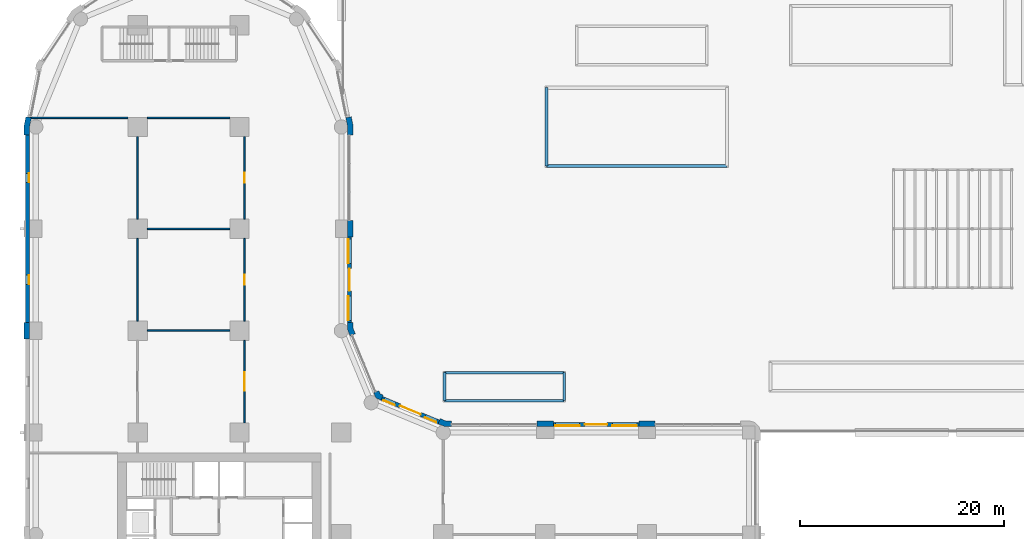
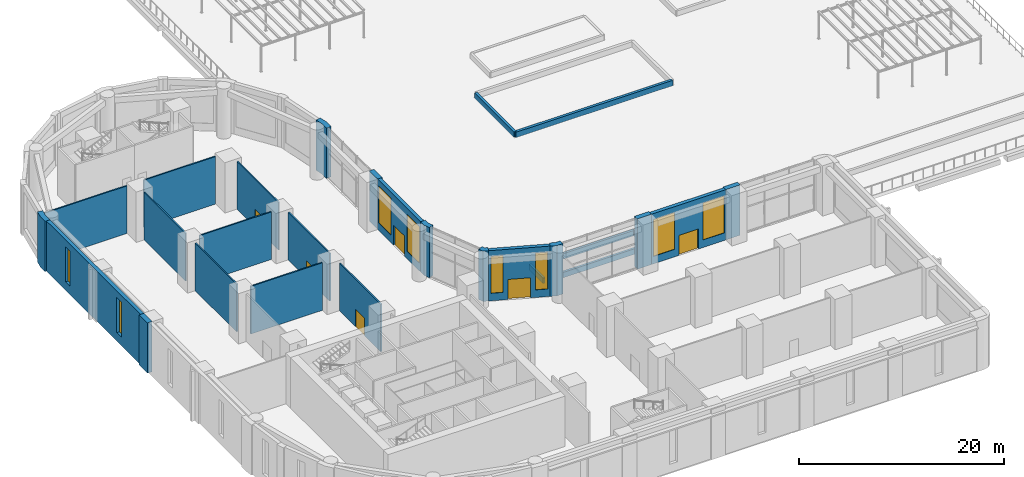
# One storey, part 16 of 28: 28 walls, 8 windows, 6 doors, 14 openings.
"""IFC4 building model written with IfcOpenShell, lengths in metres."""

from ifc_helpers import new_model, si_unit, direction, frame, frame_2d, origin, place, context, subcontext, project, spatial, polyline, rectangle, outline, extrude, material, layer, layer_set, type_object, element, fill, save


model = new_model("IFC4")

# Units and contexts
model_context = context("Model", 3, precision=1e-05, world=origin(), true_north=direction((0.0, 1.0)))
body_context = subcontext(model_context, "Body", "Model", "MODEL_VIEW")
ifc_project = project(units=[si_unit("LENGTHUNIT", "METRE"), si_unit("AREAUNIT", "SQUARE_METRE"), si_unit("VOLUMEUNIT", "CUBIC_METRE"), si_unit("PLANEANGLEUNIT", "RADIAN"), si_unit("MASSUNIT", "GRAM", prefix="KILO")], contexts=[model_context])

# Site, building, storey
site_placement = place(None, origin())
site = spatial("IfcSite", under=ifc_project, at=site_placement, CompositionType="ELEMENT")
building_placement = place(site_placement, origin())
building = spatial("IfcBuilding", under=site, at=building_placement, Name="Qaws Garden Tower", CompositionType="ELEMENT")
storey_placement = place(building_placement, frame((0.0, 0.0, 6.0)))
storey = spatial("IfcBuildingStorey", under=building, at=storey_placement, Name="L01", CompositionType="ELEMENT", Elevation=6.0)

# Walls
ifc_material_1 = material(Name="Concrete C40", Category="concrete")
ifc_layer_1 = layer(ifc_material_1, 0.25)
ifc_layer_set_1 = layer_set([ifc_layer_1], Name="Concrete C40")
wall_type_1 = type_object("IfcWallType", Name="PLANTER kerb 250", PredefinedType="STANDARD", material=ifc_layer_set_1)
wall_1_placement = place(storey_placement, frame((40.125, 33.125, -0.0400390625), z_axis=(0.0, 0.0, 1.0), x_axis=(1.0, 0.0, 0.0)))
element("IfcWall", 1, at=wall_1_placement, inside=storey, type_object=wall_type_1, Name="PLANTER 04 kerb", PredefinedType="STANDARD", context=body_context, shape_type="SweptSolid", body=[
    extrude(rectangle(XDim=11.75, YDim=0.25, at=frame_2d((5.875, 0.0))), origin(), (0.0, 0.0, 1.0), 0.650146484375),
])
wall_2_placement = place(storey_placement, frame((51.875, 33.125, -0.0400390625), z_axis=(0.0, 0.0, 1.0), x_axis=(0.0, 1.0, 0.0)))
element("IfcWall", 2, at=wall_2_placement, inside=storey, type_object=wall_type_1, Name="PLANTER 04 kerb", PredefinedType="STANDARD", context=body_context, shape_type="SweptSolid", body=[
    extrude(rectangle(XDim=2.75, YDim=0.25, at=frame_2d((1.375, 0.0))), origin(), (0.0, 0.0, 1.0), 0.650146484375),
])
wall_3_placement = place(storey_placement, frame((51.875, 35.875, -0.0400390625), z_axis=(0.0, 0.0, 1.0), x_axis=(-1.0, 0.0, 0.0)))
element("IfcWall", 3, at=wall_3_placement, inside=storey, type_object=wall_type_1, Name="PLANTER 04 kerb", PredefinedType="STANDARD", context=body_context, shape_type="SweptSolid", body=[
    extrude(rectangle(XDim=11.75, YDim=0.25, at=frame_2d((5.875, 0.0))), origin(), (0.0, 0.0, 1.0), 0.650146484375),
])
wall_4_placement = place(storey_placement, frame((40.125, 35.875, -0.0400390625), z_axis=(0.0, 0.0, 1.0), x_axis=(0.0, -1.0, 0.0)))
element("IfcWall", 4, at=wall_4_placement, inside=storey, type_object=wall_type_1, Name="PLANTER 04 kerb", PredefinedType="STANDARD", context=body_context, shape_type="SweptSolid", body=[
    extrude(rectangle(XDim=2.75, YDim=0.25, at=frame_2d((1.375, 0.0))), origin(), (0.0, 0.0, 1.0), 0.650146484375),
])
ifc_material_2 = material(Name="Gypsum board on steel S235 stud", Category="steel")
ifc_layer_2 = layer(ifc_material_2, 0.14990234375)
ifc_layer_set_2 = layer_set([ifc_layer_2], Name="Gypsum board on steel S235 stud")
wall_type_2 = type_object("IfcWallType", Name="Partition 150", PredefinedType="PARTITIONING", material=ifc_layer_set_2)
for number, where, z_axis, x_axis, name in (
    (5, (10.0, 40.949951171875, 0.0), (0.0, 0.0, 1.0), (0.0, 1.0, 0.0), "Conference wall"),
    (6, (10.0, 50.949951171875, 0.0), (0.0, 0.0, 1.0), (0.0, 1.0, 0.0), "Conference wall"),
):
    element("IfcWall", number, at=place(storey_placement, frame(where, z_axis=z_axis, x_axis=x_axis)), inside=storey, type_object=wall_type_2, Name=name, PredefinedType="PARTITIONING", context=body_context, shape_type="SweptSolid", body=[
        extrude(rectangle(XDim=8.10009765625, YDim=0.14990234375, at=frame_2d((4.050048828125, 0.0))), origin(), (0.0, 0.0, 1.0), 5.679931640625),
    ])

# Wall, opening, door
wall_5_placement = place(storey_placement, frame((20.5, 30.949951171875, 0.0), z_axis=(0.0, 0.0, 1.0), x_axis=(0.0, 1.0, 0.0)))
wall_5 = element("IfcWall", 7, at=wall_5_placement, inside=storey, type_object=wall_type_2, Name="Conference foyer wall", PredefinedType="PARTITIONING", context=body_context, shape_type="SweptSolid", body=[
    extrude(rectangle(XDim=8.10009765625, YDim=0.14990234375, at=frame_2d((4.050048828125, 0.0))), origin(), (0.0, 0.0, 1.0), 5.679931640625),
])
opening_1_placement = place(wall_5_placement, frame((3.14990234375, 0.0, 0.0)))
opening_1 = element("IfcOpeningElement", 8, at=opening_1_placement, cuts=wall_5, Name="Opening PD2-03", PredefinedType="OPENING", context=body_context, shape_type="SweptSolid", body=[
    extrude(rectangle(XDim=1.800048828125, YDim=2.10009765625, at=frame_2d((0.89990234375, 1.050048828125))), frame((0.0, 0.0849609375, 0.0), z_axis=(0.0, -1.0, 0.0), x_axis=(1.0, 0.0, 0.0)), (0.0, 0.0, 1.0), 0.169921875),
])
ifc_material_3 = material(Name="Steel S235 framed door leaf", Category="steel")
door_type_1 = type_object("IfcDoorType", Name="Door D2 double 1800", OperationType="DOUBLE_DOOR_SINGLE_SWING", PredefinedType="DOOR", material=ifc_material_3)
door_1_placement = place(opening_1_placement, origin())
door_1 = element("IfcDoor", 9, at=door_1_placement, inside=storey, type_object=door_type_1, Name="Pre-function foyer door", OperationType="DOUBLE_DOOR_SINGLE_SWING", OverallHeight=2.10009765625, OverallWidth=1.800048828125, PredefinedType="DOOR", context=body_context, shape_type="SweptSolid", body=[
    extrude(rectangle(XDim=1.800048828125, YDim=2.10009765625, at=frame_2d((0.89990234375, 1.050048828125))), frame((0.0, 0.02490234375, 0.0), z_axis=(0.0, -1.0, 0.0), x_axis=(1.0, 0.0, 0.0)), (0.0, 0.0, 1.0), 0.050048828125),
])
fill(opening_1, door_1)

wall_6_placement = place(storey_placement, frame((20.5, 40.949951171875, 0.0), z_axis=(0.0, 0.0, 1.0), x_axis=(0.0, 1.0, 0.0)))
wall_6 = element("IfcWall", 10, at=wall_6_placement, inside=storey, type_object=wall_type_2, Name="Conference foyer wall", PredefinedType="PARTITIONING", context=body_context, shape_type="SweptSolid", body=[
    extrude(rectangle(XDim=8.10009765625, YDim=0.14990234375, at=frame_2d((4.050048828125, 0.0))), origin(), (0.0, 0.0, 1.0), 5.679931640625),
])
opening_2_placement = place(wall_6_placement, frame((3.550048828125, 0.0, 0.0)))
opening_2 = element("IfcOpeningElement", 11, at=opening_2_placement, cuts=wall_6, Name="Opening PD1-04", PredefinedType="OPENING", context=body_context, shape_type="SweptSolid", body=[
    extrude(rectangle(XDim=1.0, YDim=2.10009765625, at=frame_2d((0.5, 1.050048828125))), frame((0.0, 0.0849609375, 0.0), z_axis=(0.0, -1.0, 0.0), x_axis=(1.0, 0.0, 0.0)), (0.0, 0.0, 1.0), 0.169921875),
])
ifc_material_4 = material(Name="Steel S235 framed door leaf", Category="steel")
door_type_2 = type_object("IfcDoorType", Name="Door D1 single 1000", OperationType="SINGLE_SWING_LEFT", PredefinedType="DOOR", material=ifc_material_4)
door_2_placement = place(opening_2_placement, origin())
door_2 = element("IfcDoor", 12, at=door_2_placement, inside=storey, type_object=door_type_2, Name="Breakout room door", OperationType="SINGLE_SWING_LEFT", OverallHeight=2.10009765625, OverallWidth=1.0, PredefinedType="DOOR", context=body_context, shape_type="SweptSolid", body=[
    extrude(rectangle(XDim=1.0, YDim=2.10009765625, at=frame_2d((0.5, 1.050048828125))), frame((0.0, 0.02490234375, 0.0), z_axis=(0.0, -1.0, 0.0), x_axis=(1.0, 0.0, 0.0)), (0.0, 0.0, 1.0), 0.050048828125),
])
fill(opening_2, door_2)

wall_7_placement = place(storey_placement, frame((20.5, 50.949951171875, 0.0), z_axis=(0.0, 0.0, 1.0), x_axis=(0.0, 1.0, 0.0)))
wall_7 = element("IfcWall", 13, at=wall_7_placement, inside=storey, type_object=wall_type_2, Name="Conference foyer wall", PredefinedType="PARTITIONING", context=body_context, shape_type="SweptSolid", body=[
    extrude(rectangle(XDim=8.10009765625, YDim=0.14990234375, at=frame_2d((4.050048828125, 0.0))), origin(), (0.0, 0.0, 1.0), 5.679931640625),
])
opening_3_placement = place(wall_7_placement, frame((3.550048828125, 0.0, 0.0)))
opening_3 = element("IfcOpeningElement", 14, at=opening_3_placement, cuts=wall_7, Name="Opening PD1-05", PredefinedType="OPENING", context=body_context, shape_type="SweptSolid", body=[
    extrude(rectangle(XDim=1.0, YDim=2.10009765625, at=frame_2d((0.5, 1.050048828125))), frame((0.0, 0.0849609375, 0.0), z_axis=(0.0, -1.0, 0.0), x_axis=(1.0, 0.0, 0.0)), (0.0, 0.0, 1.0), 0.169921875),
])
door_3_placement = place(opening_3_placement, origin())
door_3 = element("IfcDoor", 15, at=door_3_placement, inside=storey, type_object=door_type_2, Name="Breakout room door", OperationType="SINGLE_SWING_LEFT", OverallHeight=2.10009765625, OverallWidth=1.0, PredefinedType="DOOR", context=body_context, shape_type="SweptSolid", body=[
    extrude(rectangle(XDim=1.0, YDim=2.10009765625, at=frame_2d((0.5, 1.050048828125))), frame((0.0, 0.02490234375, 0.0), z_axis=(0.0, -1.0, 0.0), x_axis=(1.0, 0.0, 0.0)), (0.0, 0.0, 1.0), 0.050048828125),
])
fill(opening_3, door_3)

# Walls
for number, where, z_axis, x_axis, name in (
    (16, (10.949951171875, 40.0, 0.0), (0.0, 0.0, 1.0), (1.0, 0.0, 0.0), "Breakout room wall"),
    (17, (10.949951171875, 50.0, 0.0), (0.0, 0.0, 1.0), (1.0, 0.0, 0.0), "Breakout room wall"),
):
    element("IfcWall", number, at=place(storey_placement, frame(where, z_axis=z_axis, x_axis=x_axis)), inside=storey, type_object=wall_type_2, Name=name, PredefinedType="PARTITIONING", context=body_context, shape_type="SweptSolid", body=[
        extrude(rectangle(XDim=8.10009765625, YDim=0.14990234375, at=frame_2d((4.050048828125, 0.0))), origin(), (0.0, 0.0, 1.0), 5.679931640625),
    ])
wall_8_placement = place(storey_placement, frame((-0.60009765625, 60.89990234375, 0.0), z_axis=(0.0, 0.0, 1.0), x_axis=(1.0, 0.0, 0.0)))
element("IfcWall", 18, at=wall_8_placement, inside=storey, type_object=wall_type_2, Name="Conference north wall", PredefinedType="PARTITIONING", context=body_context, shape_type="SweptSolid", body=[
    extrude(rectangle(XDim=9.650146484375, YDim=0.14990234375, at=frame_2d((4.8251953125, 0.0))), origin(), (0.0, 0.0, 1.0), 5.679931640625),
])
wall_9_placement = place(storey_placement, frame((10.949951171875, 60.89990234375, 0.0), z_axis=(0.0, 0.0, 1.0), x_axis=(1.0, 0.0, 0.0)))
element("IfcWall", 19, at=wall_9_placement, inside=storey, type_object=wall_type_2, Name="Conference north wall", PredefinedType="PARTITIONING", context=body_context, shape_type="SweptSolid", body=[
    extrude(rectangle(XDim=8.10009765625, YDim=0.14990234375, at=frame_2d((4.050048828125, 0.0))), origin(), (0.0, 0.0, 1.0), 5.679931640625),
])

# Wall, openings, door, windows
ifc_material_5 = material(Name="Limestone ashlar masonry", Category="masonry")
ifc_layer_3 = layer(ifc_material_5, 0.39990234375)
ifc_layer_set_3 = layer_set([ifc_layer_3], Name="Limestone ashlar masonry")
wall_type_3 = type_object("IfcWallType", Name="Stone infill wall 400", PredefinedType="SOLIDWALL", material=ifc_layer_set_3)
wall_10_placement = place(storey_placement, frame((59.199951171875, 30.800048828125, 0.0), z_axis=(0.0, 0.0, 1.0), x_axis=(-1.0, 0.0, 0.0)))
wall_10 = element("IfcWall", 20, at=wall_10_placement, inside=storey, type_object=wall_type_3, Name="E-L01-infill-09", PredefinedType="SOLIDWALL", context=body_context, shape_type="SweptSolid", body=[
    extrude(rectangle(XDim=8.39990234375, YDim=0.39990234375, at=frame_2d((4.199951171875, 0.0))), origin(), (0.0, 0.0, 1.0), 6.0),
])
opening_4_placement = place(wall_10_placement, frame((0.199951171875, 0.0, 0.89990234375)))
opening_4 = element("IfcOpeningElement", 21, at=opening_4_placement, cuts=wall_10, Name="Opening W15", PredefinedType="OPENING", context=body_context, shape_type="SweptSolid", body=[
    extrude(rectangle(XDim=2.39990234375, YDim=4.39990234375, at=frame_2d((1.199951171875, 2.199951171875))), frame((0.0, 0.2099609375, 0.0), z_axis=(0.0, -1.0, 0.0), x_axis=(1.0, 0.0, 0.0)), (0.0, 0.0, 1.0), 0.419921875),
])
opening_5_placement = place(wall_10_placement, frame((3.10009765625, 0.0, 0.0)))
opening_5 = element("IfcOpeningElement", 22, at=opening_5_placement, cuts=wall_10, Name="Opening XD007", PredefinedType="OPENING", context=body_context, shape_type="SweptSolid", body=[
    extrude(rectangle(XDim=2.199951171875, YDim=2.39990234375, at=frame_2d((1.10009765625, 1.199951171875))), frame((0.0, 0.2099609375, 0.0), z_axis=(0.0, -1.0, 0.0), x_axis=(1.0, 0.0, 0.0)), (0.0, 0.0, 1.0), 0.419921875),
])
opening_6_placement = place(wall_10_placement, frame((5.800048828125, 0.0, 0.89990234375)))
opening_6 = element("IfcOpeningElement", 23, at=opening_6_placement, cuts=wall_10, Name="Opening W15", PredefinedType="OPENING", context=body_context, shape_type="SweptSolid", body=[
    extrude(rectangle(XDim=2.39990234375, YDim=4.39990234375, at=frame_2d((1.199951171875, 2.199951171875))), frame((0.0, 0.2099609375, 0.0), z_axis=(0.0, -1.0, 0.0), x_axis=(1.0, 0.0, 0.0)), (0.0, 0.0, 1.0), 0.419921875),
])
ifc_material_6 = material(Name="Aluminium framed glazed door, clear glazing", Category="aluminium")
door_type_3 = type_object("IfcDoorType", Name="Garden deck double door 2200 x 2400", OperationType="DOUBLE_DOOR_DOUBLE_SWING", PredefinedType="DOOR", material=ifc_material_6)
door_4_placement = place(opening_5_placement, frame((2.199951171875, 0.0, 0.0), z_axis=(0.0, 0.0, 1.0), x_axis=(-1.0, 0.0, 0.0)))
door_4 = element("IfcDoor", 24, at=door_4_placement, inside=storey, type_object=door_type_3, Name="E-L01-door-09", OperationType="DOUBLE_DOOR_DOUBLE_SWING", OverallHeight=2.39990234375, OverallWidth=2.199951171875, PredefinedType="DOOR", context=body_context, shape_type="SweptSolid", body=[
    extrude(rectangle(XDim=2.199951171875, YDim=2.39990234375, at=frame_2d((1.10009765625, 1.199951171875))), frame((0.0, 0.02490234375, 0.0), z_axis=(0.0, -1.0, 0.0), x_axis=(1.0, 0.0, 0.0)), (0.0, 0.0, 1.0), 0.050048828125),
])
fill(opening_5, door_4)
ifc_material_7 = material(Name="Aluminium framed window, clear glazing", Category="aluminium")
window_type_1 = type_object("IfcWindowType", Name="Sidelight window 2400 x 4400", PartitioningType="SINGLE_PANEL", PredefinedType="WINDOW", material=ifc_material_7)
window_1_placement = place(opening_4_placement, origin())
window_1 = element("IfcWindow", 25, at=window_1_placement, inside=storey, type_object=window_type_1, Name="E-L01-window-09-0", OverallHeight=4.39990234375, OverallWidth=2.39990234375, PartitioningType="SINGLE_PANEL", PredefinedType="WINDOW", context=body_context, shape_type="SweptSolid", body=[
    extrude(rectangle(XDim=2.39990234375, YDim=4.39990234375, at=frame_2d((1.199951171875, 2.199951171875))), frame((0.0, 0.159912109375, 0.0), z_axis=(0.0, -1.0, 0.0), x_axis=(1.0, 0.0, 0.0)), (0.0, 0.0, 1.0), 0.06005859375),
])
fill(opening_4, window_1)
window_2_placement = place(opening_6_placement, origin())
window_2 = element("IfcWindow", 26, at=window_2_placement, inside=storey, type_object=window_type_1, Name="E-L01-window-09-2", OverallHeight=4.39990234375, OverallWidth=2.39990234375, PartitioningType="SINGLE_PANEL", PredefinedType="WINDOW", context=body_context, shape_type="SweptSolid", body=[
    extrude(rectangle(XDim=2.39990234375, YDim=4.39990234375, at=frame_2d((1.199951171875, 2.199951171875))), frame((0.0, 0.159912109375, 0.0), z_axis=(0.0, -1.0, 0.0), x_axis=(1.0, 0.0, 0.0)), (0.0, 0.0, 1.0), 0.06005859375),
])
fill(opening_6, window_2)

wall_11_placement = place(storey_placement, frame((39.56689453125, 31.04541015625, 0.0), z_axis=(0.0, 0.0, 1.0), x_axis=(-0.923891000409, 0.382655745237, 0.0)))
wall_11 = element("IfcWall", 27, at=wall_11_placement, inside=storey, type_object=wall_type_3, Name="E-L01-infill-11", PredefinedType="SOLIDWALL", context=body_context, shape_type="SweptSolid", body=[
    extrude(rectangle(XDim=6.053466796875, YDim=0.39990234375, at=frame_2d((3.02685546875, 0.0))), origin(), (0.0, 0.0, 1.0), 6.0),
])
opening_7_placement = place(wall_11_placement, frame((0.226806640625, 0.0, 0.89990234375)))
opening_7 = element("IfcOpeningElement", 28, at=opening_7_placement, cuts=wall_11, Name="Opening W17", PredefinedType="OPENING", context=body_context, shape_type="SweptSolid", body=[
    extrude(rectangle(XDim=1.199951171875, YDim=4.39990234375, at=frame_2d((0.60009765625, 2.199951171875))), frame((0.0, 0.2099609375, 0.0), z_axis=(0.0, -1.0, 0.0), x_axis=(1.0, 0.0, 0.0)), (0.0, 0.0, 1.0), 0.419921875),
])
opening_8_placement = place(wall_11_placement, frame((1.9267578125, 0.0, 0.0)))
opening_8 = element("IfcOpeningElement", 29, at=opening_8_placement, cuts=wall_11, Name="Opening XD008", PredefinedType="OPENING", context=body_context, shape_type="SweptSolid", body=[
    extrude(rectangle(XDim=2.199951171875, YDim=2.39990234375, at=frame_2d((1.10009765625, 1.199951171875))), frame((0.0, 0.2099609375, 0.0), z_axis=(0.0, -1.0, 0.0), x_axis=(1.0, 0.0, 0.0)), (0.0, 0.0, 1.0), 0.419921875),
])
opening_9_placement = place(wall_11_placement, frame((4.626708984375, 0.0, 0.89990234375)))
opening_9 = element("IfcOpeningElement", 30, at=opening_9_placement, cuts=wall_11, Name="Opening W17", PredefinedType="OPENING", context=body_context, shape_type="SweptSolid", body=[
    extrude(rectangle(XDim=1.199951171875, YDim=4.39990234375, at=frame_2d((0.60009765625, 2.199951171875))), frame((0.0, 0.2099609375, 0.0), z_axis=(0.0, -1.0, 0.0), x_axis=(1.0, 0.0, 0.0)), (0.0, 0.0, 1.0), 0.419921875),
])
door_5_placement = place(opening_8_placement, origin())
door_5 = element("IfcDoor", 31, at=door_5_placement, inside=storey, type_object=door_type_3, Name="E-L01-door-11", OperationType="DOUBLE_DOOR_DOUBLE_SWING", OverallHeight=2.39990234375, OverallWidth=2.199951171875, PredefinedType="DOOR", context=body_context, shape_type="SweptSolid", body=[
    extrude(rectangle(XDim=2.199951171875, YDim=2.39990234375, at=frame_2d((1.10009765625, 1.199951171875))), frame((0.0, 0.02490234375, 0.0), z_axis=(0.0, -1.0, 0.0), x_axis=(1.0, 0.0, 0.0)), (0.0, 0.0, 1.0), 0.050048828125),
])
fill(opening_8, door_5)
ifc_material_8 = material(Name="Aluminium framed window, clear glazing", Category="aluminium")
window_type_2 = type_object("IfcWindowType", Name="Sidelight window 1200 x 4400", PartitioningType="SINGLE_PANEL", PredefinedType="WINDOW", material=ifc_material_8)
window_3_placement = place(opening_7_placement, origin())
window_3 = element("IfcWindow", 32, at=window_3_placement, inside=storey, type_object=window_type_2, Name="E-L01-window-11-0", OverallHeight=4.39990234375, OverallWidth=1.199951171875, PartitioningType="SINGLE_PANEL", PredefinedType="WINDOW", context=body_context, shape_type="SweptSolid", body=[
    extrude(rectangle(XDim=1.199951171875, YDim=4.39990234375, at=frame_2d((0.60009765625, 2.199951171875))), frame((0.0, 0.159912109375, 0.0), z_axis=(0.0, -1.0, 0.0), x_axis=(1.0, 0.0, 0.0)), (0.0, 0.0, 1.0), 0.06005859375),
])
fill(opening_7, window_3)
window_4_placement = place(opening_9_placement, origin())
window_4 = element("IfcWindow", 33, at=window_4_placement, inside=storey, type_object=window_type_2, Name="E-L01-window-11-2", OverallHeight=4.39990234375, OverallWidth=1.199951171875, PartitioningType="SINGLE_PANEL", PredefinedType="WINDOW", context=body_context, shape_type="SweptSolid", body=[
    extrude(rectangle(XDim=1.199951171875, YDim=4.39990234375, at=frame_2d((0.60009765625, 2.199951171875))), frame((0.0, 0.159912109375, 0.0), z_axis=(0.0, -1.0, 0.0), x_axis=(1.0, 0.0, 0.0)), (0.0, 0.0, 1.0), 0.06005859375),
])
fill(opening_9, window_4)

wall_12_placement = place(storey_placement, frame((30.800048828125, 40.800048828125, 0.0), z_axis=(0.0, 0.0, 1.0), x_axis=(0.0, 1.0, 0.0)))
wall_12 = element("IfcWall", 34, at=wall_12_placement, inside=storey, type_object=wall_type_3, Name="E-L01-infill-13", PredefinedType="SOLIDWALL", context=body_context, shape_type="SweptSolid", body=[
    extrude(rectangle(XDim=8.39990234375, YDim=0.39990234375, at=frame_2d((4.199951171875, 0.0))), origin(), (0.0, 0.0, 1.0), 6.0),
])
opening_10_placement = place(wall_12_placement, frame((0.199951171875, 0.0, 0.89990234375)))
opening_10 = element("IfcOpeningElement", 35, at=opening_10_placement, cuts=wall_12, Name="Opening W15", PredefinedType="OPENING", context=body_context, shape_type="SweptSolid", body=[
    extrude(rectangle(XDim=2.39990234375, YDim=4.39990234375, at=frame_2d((1.199951171875, 2.199951171875))), frame((0.0, 0.2099609375, 0.0), z_axis=(0.0, -1.0, 0.0), x_axis=(1.0, 0.0, 0.0)), (0.0, 0.0, 1.0), 0.419921875),
])
opening_11_placement = place(wall_12_placement, frame((3.10009765625, 0.0, 0.0)))
opening_11 = element("IfcOpeningElement", 36, at=opening_11_placement, cuts=wall_12, Name="Opening XD009", PredefinedType="OPENING", context=body_context, shape_type="SweptSolid", body=[
    extrude(rectangle(XDim=2.199951171875, YDim=2.39990234375, at=frame_2d((1.10009765625, 1.199951171875))), frame((0.0, 0.2099609375, 0.0), z_axis=(0.0, -1.0, 0.0), x_axis=(1.0, 0.0, 0.0)), (0.0, 0.0, 1.0), 0.419921875),
])
opening_12_placement = place(wall_12_placement, frame((5.800048828125, 0.0, 0.89990234375)))
opening_12 = element("IfcOpeningElement", 37, at=opening_12_placement, cuts=wall_12, Name="Opening W15", PredefinedType="OPENING", context=body_context, shape_type="SweptSolid", body=[
    extrude(rectangle(XDim=2.39990234375, YDim=4.39990234375, at=frame_2d((1.199951171875, 2.199951171875))), frame((0.0, 0.2099609375, 0.0), z_axis=(0.0, -1.0, 0.0), x_axis=(1.0, 0.0, 0.0)), (0.0, 0.0, 1.0), 0.419921875),
])
door_6_placement = place(opening_11_placement, frame((2.199951171875, 0.0, 0.0), z_axis=(0.0, 0.0, 1.0), x_axis=(-1.0, 0.0, 0.0)))
door_6 = element("IfcDoor", 38, at=door_6_placement, inside=storey, type_object=door_type_3, Name="E-L01-door-13", OperationType="DOUBLE_DOOR_DOUBLE_SWING", OverallHeight=2.39990234375, OverallWidth=2.199951171875, PredefinedType="DOOR", context=body_context, shape_type="SweptSolid", body=[
    extrude(rectangle(XDim=2.199951171875, YDim=2.39990234375, at=frame_2d((1.10009765625, 1.199951171875))), frame((0.0, 0.02490234375, 0.0), z_axis=(0.0, -1.0, 0.0), x_axis=(1.0, 0.0, 0.0)), (0.0, 0.0, 1.0), 0.050048828125),
])
fill(opening_11, door_6)
window_5_placement = place(opening_10_placement, origin())
window_5 = element("IfcWindow", 39, at=window_5_placement, inside=storey, type_object=window_type_1, Name="E-L01-window-13-0", OverallHeight=4.39990234375, OverallWidth=2.39990234375, PartitioningType="SINGLE_PANEL", PredefinedType="WINDOW", context=body_context, shape_type="SweptSolid", body=[
    extrude(rectangle(XDim=2.39990234375, YDim=4.39990234375, at=frame_2d((1.199951171875, 2.199951171875))), frame((0.0, 0.159912109375, 0.0), z_axis=(0.0, -1.0, 0.0), x_axis=(1.0, 0.0, 0.0)), (0.0, 0.0, 1.0), 0.06005859375),
])
fill(opening_10, window_5)
window_6_placement = place(opening_12_placement, origin())
window_6 = element("IfcWindow", 40, at=window_6_placement, inside=storey, type_object=window_type_1, Name="E-L01-window-13-2", OverallHeight=4.39990234375, OverallWidth=2.39990234375, PartitioningType="SINGLE_PANEL", PredefinedType="WINDOW", context=body_context, shape_type="SweptSolid", body=[
    extrude(rectangle(XDim=2.39990234375, YDim=4.39990234375, at=frame_2d((1.199951171875, 2.199951171875))), frame((0.0, 0.159912109375, 0.0), z_axis=(0.0, -1.0, 0.0), x_axis=(1.0, 0.0, 0.0)), (0.0, 0.0, 1.0), 0.06005859375),
])
fill(opening_12, window_6)

# Wall, openings, windows
wall_13_placement = place(storey_placement, frame((-0.800048828125, 59.199951171875, 0.0), z_axis=(0.0, 0.0, 1.0), x_axis=(0.0, -1.0, 0.0)))
wall_13 = element("IfcWall", 41, at=wall_13_placement, inside=storey, type_object=wall_type_3, Name="E-L01-infill-23", PredefinedType="SOLIDWALL", context=body_context, shape_type="SweptSolid", body=[
    extrude(rectangle(XDim=18.39990234375, YDim=0.39990234375, at=frame_2d((9.199951171875, 0.0))), origin(), (0.0, 0.0, 1.0), 6.0),
])
opening_13_placement = place(wall_13_placement, frame((3.75, 0.0, 1.0)))
opening_13 = element("IfcOpeningElement", 42, at=opening_13_placement, cuts=wall_13, Name="Opening W11", PredefinedType="OPENING", context=body_context, shape_type="SweptSolid", body=[
    extrude(rectangle(XDim=0.89990234375, YDim=4.199951171875, at=frame_2d((0.449951171875, 2.10009765625))), frame((0.0, 0.2099609375, 0.0), z_axis=(0.0, -1.0, 0.0), x_axis=(1.0, 0.0, 0.0)), (0.0, 0.0, 1.0), 0.419921875),
])
opening_14_placement = place(wall_13_placement, frame((13.75, 0.0, 1.0)))
opening_14 = element("IfcOpeningElement", 43, at=opening_14_placement, cuts=wall_13, Name="Opening W11", PredefinedType="OPENING", context=body_context, shape_type="SweptSolid", body=[
    extrude(rectangle(XDim=0.89990234375, YDim=4.199951171875, at=frame_2d((0.449951171875, 2.10009765625))), frame((0.0, 0.2099609375, 0.0), z_axis=(0.0, -1.0, 0.0), x_axis=(1.0, 0.0, 0.0)), (0.0, 0.0, 1.0), 0.419921875),
])
ifc_material_9 = material(Name="Aluminium framed window, clear glazing", Category="aluminium")
window_type_3 = type_object("IfcWindowType", Name="Slit window 900 x 4200", PartitioningType="SINGLE_PANEL", PredefinedType="WINDOW", material=ifc_material_9)
window_7_placement = place(opening_13_placement, origin())
window_7 = element("IfcWindow", 44, at=window_7_placement, inside=storey, type_object=window_type_3, Name="E-L01-window-23-0", OverallHeight=4.199951171875, OverallWidth=0.89990234375, PartitioningType="SINGLE_PANEL", PredefinedType="WINDOW", context=body_context, shape_type="SweptSolid", body=[
    extrude(rectangle(XDim=0.89990234375, YDim=4.199951171875, at=frame_2d((0.449951171875, 2.10009765625))), frame((0.0, 0.159912109375, 0.0), z_axis=(0.0, -1.0, 0.0), x_axis=(1.0, 0.0, 0.0)), (0.0, 0.0, 1.0), 0.06005859375),
])
fill(opening_13, window_7)
window_8_placement = place(opening_14_placement, origin())
window_8 = element("IfcWindow", 45, at=window_8_placement, inside=storey, type_object=window_type_3, Name="E-L01-window-24-0", OverallHeight=4.199951171875, OverallWidth=0.89990234375, PartitioningType="SINGLE_PANEL", PredefinedType="WINDOW", context=body_context, shape_type="SweptSolid", body=[
    extrude(rectangle(XDim=0.89990234375, YDim=4.199951171875, at=frame_2d((0.449951171875, 2.10009765625))), frame((0.0, 0.159912109375, 0.0), z_axis=(0.0, -1.0, 0.0), x_axis=(1.0, 0.0, 0.0)), (0.0, 0.0, 1.0), 0.06005859375),
])
fill(opening_14, window_8)

# Walls
ifc_material_10 = material(Name="Limestone ashlar masonry", Category="masonry")
ifc_layer_4 = layer(ifc_material_10, 0.550048828125)
ifc_layer_set_4 = layer_set([ifc_layer_4], Name="Limestone ashlar masonry")
wall_type_4 = type_object("IfcWallType", Name="Stone pier 550 x 1600", PredefinedType="SOLIDWALL", material=ifc_layer_set_4)
placement = place(storey_placement, origin())
element("IfcWall", 46, at=placement, inside=storey, type_object=wall_type_4, Name="E-L01-pier-09", PredefinedType="SOLIDWALL", context=body_context, shape_type="SweptSolid", body=[
    extrude(outline(polyline([(60.800048828125, 31.0), (60.800048828125, 31.14990234375), (60.0, 31.14990234375), (59.199951171875, 31.14990234375), (59.199951171875, 31.0), (59.199951171875, 30.60009765625), (60.0, 30.60009765625), (60.800048828125, 30.60009765625), (60.800048828125, 31.0)])), origin(), (0.0, 0.0, 1.0), 6.0),
])
element("IfcWall", 47, at=placement, inside=storey, type_object=wall_type_4, Name="E-L01-pier-10", PredefinedType="SOLIDWALL", context=body_context, shape_type="SweptSolid", body=[
    extrude(outline(polyline([(50.800048828125, 31.0), (50.800048828125, 31.14990234375), (50.0, 31.14990234375), (49.199951171875, 31.14990234375), (49.199951171875, 31.0), (49.199951171875, 30.60009765625), (50.0, 30.60009765625), (50.800048828125, 30.60009765625), (50.800048828125, 31.0)])), origin(), (0.0, 0.0, 1.0), 6.0),
])
element("IfcWall", 48, at=placement, inside=storey, type_object=wall_type_4, Name="E-L01-pier-11", PredefinedType="SOLIDWALL", context=body_context, shape_type="SweptSolid", body=[
    extrude(outline(polyline([(40.800048828125, 31.0), (40.800048828125, 31.14990234375), (40.228759765625, 31.14990234375), (39.700927734375, 31.36865234375), (39.6435546875, 31.22998046875), (39.490478515625, 30.860595703125), (40.119384765625, 30.60009765625), (40.800048828125, 30.60009765625), (40.800048828125, 31.0)])), origin(), (0.0, 0.0, 1.0), 6.0),
])
element("IfcWall", 49, at=placement, inside=storey, type_object=wall_type_4, Name="E-L01-pier-12", PredefinedType="SOLIDWALL", context=body_context, shape_type="SweptSolid", body=[
    extrude(outline(polyline([(34.05078125, 33.546630859375), (34.108154296875, 33.685302734375), (33.80908203125, 33.80908203125), (33.685302734375, 34.108154296875), (33.546630859375, 34.05078125), (33.177001953125, 33.897705078125), (33.38818359375, 33.38818359375), (33.897705078125, 33.177001953125), (34.05078125, 33.546630859375)])), origin(), (0.0, 0.0, 1.0), 6.0),
])
element("IfcWall", 50, at=placement, inside=storey, type_object=wall_type_4, Name="E-L01-pier-13", PredefinedType="SOLIDWALL", context=body_context, shape_type="SweptSolid", body=[
    extrude(outline(polyline([(31.22998046875, 39.6435546875), (31.36865234375, 39.700927734375), (31.14990234375, 40.228759765625), (31.14990234375, 40.800048828125), (31.0, 40.800048828125), (30.60009765625, 40.800048828125), (30.60009765625, 40.119384765625), (30.860595703125, 39.490478515625), (31.22998046875, 39.6435546875)])), origin(), (0.0, 0.0, 1.0), 6.0),
])
element("IfcWall", 51, at=placement, inside=storey, type_object=wall_type_4, Name="E-L01-pier-14", PredefinedType="SOLIDWALL", context=body_context, shape_type="SweptSolid", body=[
    extrude(outline(polyline([(31.0, 49.199951171875), (31.14990234375, 49.199951171875), (31.14990234375, 50.0), (31.14990234375, 50.800048828125), (31.0, 50.800048828125), (30.60009765625, 50.800048828125), (30.60009765625, 50.0), (30.60009765625, 49.199951171875), (31.0, 49.199951171875)])), origin(), (0.0, 0.0, 1.0), 6.0),
])
element("IfcWall", 52, at=placement, inside=storey, type_object=wall_type_4, Name="E-L01-pier-15", PredefinedType="SOLIDWALL", context=body_context, shape_type="SweptSolid", body=[
    extrude(outline(polyline([(31.0, 59.199951171875), (31.14990234375, 59.199951171875), (31.14990234375, 60.11328125), (30.971923828125, 61.009033203125), (30.82470703125, 60.979736328125), (30.432373046875, 60.901611328125), (30.60009765625, 60.05908203125), (30.60009765625, 59.199951171875), (31.0, 59.199951171875)])), origin(), (0.0, 0.0, 1.0), 6.0),
])
element("IfcWall", 53, at=placement, inside=storey, type_object=wall_type_4, Name="E-L01-pier-23", PredefinedType="SOLIDWALL", context=body_context, shape_type="SweptSolid", body=[
    extrude(outline(polyline([(-0.82470703125, 60.979736328125), (-0.971923828125, 61.009033203125), (-1.14990234375, 60.11328125), (-1.14990234375, 59.199951171875), (-1.0, 59.199951171875), (-0.60009765625, 59.199951171875), (-0.60009765625, 60.05908203125), (-0.432373046875, 60.901611328125), (-0.82470703125, 60.979736328125)])), origin(), (0.0, 0.0, 1.0), 6.0),
])
element("IfcWall", 54, at=placement, inside=storey, type_object=wall_type_4, Name="E-L01-pier-25", PredefinedType="SOLIDWALL", context=body_context, shape_type="SweptSolid", body=[
    extrude(outline(polyline([(-1.0, 40.800048828125), (-1.14990234375, 40.800048828125), (-1.14990234375, 40.0), (-1.14990234375, 39.199951171875), (-1.0, 39.199951171875), (-0.60009765625, 39.199951171875), (-0.60009765625, 40.0), (-0.60009765625, 40.800048828125), (-1.0, 40.800048828125)])), origin(), (0.0, 0.0, 1.0), 6.0),
])
ifc_material_11 = material(Name="Concrete C40", Category="concrete")
ifc_layer_5 = layer(ifc_material_11, 0.300048828125)
ifc_layer_set_5 = layer_set([ifc_layer_5], Name="Concrete C40")
wall_type_5 = type_object("IfcWallType", Name="Water feature wall 300", PredefinedType="SOLIDWALL", material=ifc_layer_set_5)
wall_23_placement = place(storey_placement, frame((50.14990234375, 56.14990234375, -0.0400390625), z_axis=(0.0, 0.0, 1.0), x_axis=(1.0, 0.0, 0.0)))
element("IfcWall", 55, at=wall_23_placement, inside=storey, type_object=wall_type_5, Name="Water feature wall", PredefinedType="SOLIDWALL", context=body_context, shape_type="SweptSolid", body=[
    extrude(rectangle(XDim=17.7001953125, YDim=0.300048828125, at=frame_2d((8.85009765625, 0.0))), origin(), (0.0, 0.0, 1.0), 0.64013671875),
])
wall_24_placement = place(storey_placement, frame((50.14990234375, 63.85009765625, -0.0400390625), z_axis=(0.0, 0.0, 1.0), x_axis=(0.0, -1.0, 0.0)))
element("IfcWall", 56, at=wall_24_placement, inside=storey, type_object=wall_type_5, Name="Water feature wall", PredefinedType="SOLIDWALL", context=body_context, shape_type="SweptSolid", body=[
    extrude(rectangle(XDim=7.7001953125, YDim=0.300048828125, at=frame_2d((3.85009765625, 0.0))), origin(), (0.0, 0.0, 1.0), 0.64013671875),
])

save(model, "model.ifc")
